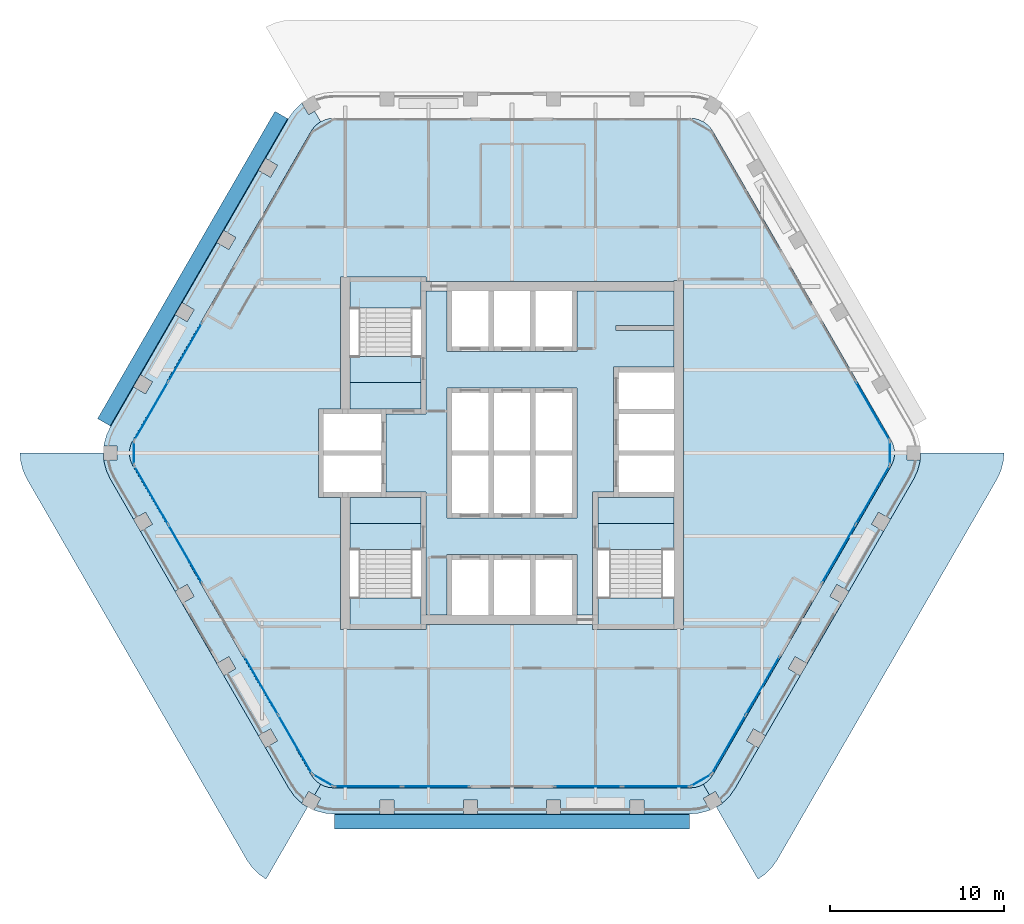
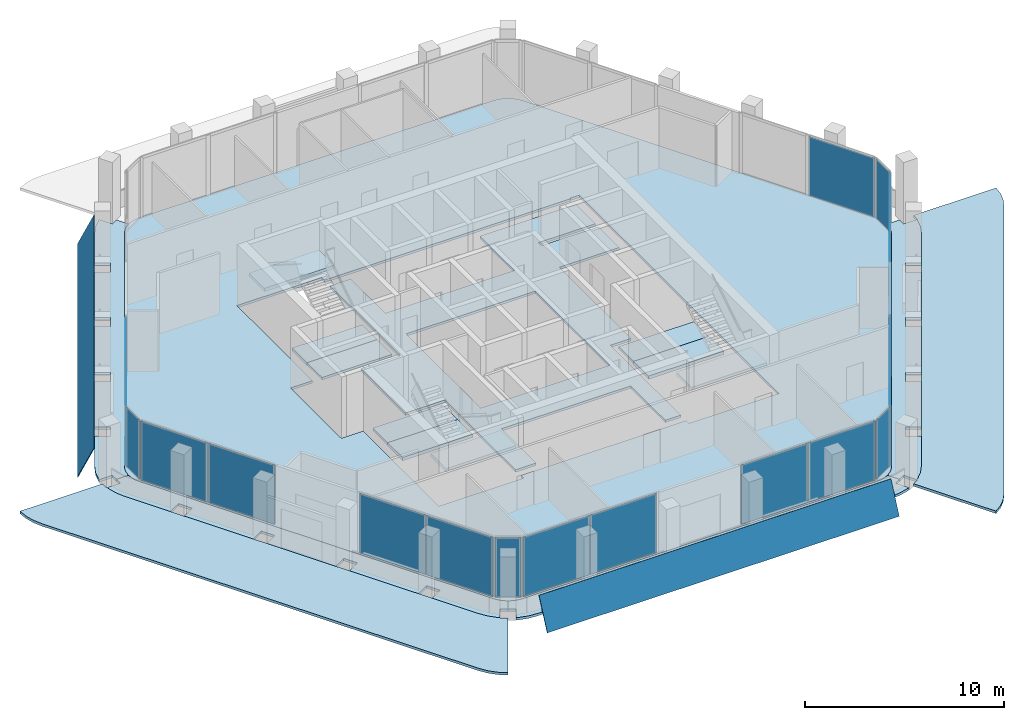
# One storey, part 6 of 14: 21 plates, 17 slabs, 15 elements without a shape of their own.
"""IFC4 building model written with IfcOpenShell, lengths in metres."""

from ifc_helpers import new_model, si_unit, direction, frame, origin, origin_2d, place, context, subcontext, project, spatial, polyline, rectangle, outline, extrude, material, layer, layer_set, type_object, element, aggregate, save


model = new_model("IFC4")

# Units and contexts
model_context = context("Model", 3, precision=1e-05, world=origin(), true_north=direction((0.0, 1.0)))
body_context = subcontext(model_context, "Body", "Model", "MODEL_VIEW")
ifc_project = project(units=[si_unit("LENGTHUNIT", "METRE"), si_unit("AREAUNIT", "SQUARE_METRE"), si_unit("VOLUMEUNIT", "CUBIC_METRE"), si_unit("PLANEANGLEUNIT", "RADIAN"), si_unit("MASSUNIT", "GRAM", prefix="KILO")], contexts=[model_context])

# Site, building, storey
site_placement = place(None, origin())
site = spatial("IfcSite", under=ifc_project, at=site_placement, CompositionType="ELEMENT")
building_placement = place(site_placement, origin())
building = spatial("IfcBuilding", under=site, at=building_placement, Name="Kolab Exchange Tower", CompositionType="ELEMENT")
storey_placement = place(building_placement, frame((0.0, 0.0, 222.800048828125)))
storey = spatial("IfcBuildingStorey", under=building, at=storey_placement, Name="L48", CompositionType="ELEMENT", Elevation=222.800048828125)

# Slabs
ifc_material_1 = material(Name="Concrete C35/45", Category="concrete")
ifc_layer_1 = layer(ifc_material_1, 0.14990234375)
ifc_layer_set_1 = layer_set([ifc_layer_1], Name="Concrete C35/45")
slab_type_1 = type_object("IfcSlabType", Name="FLOOR SLAB 150", PredefinedType="FLOOR", material=ifc_layer_set_1)
slab_1_placement = place(storey_placement, frame((0.0, 0.0, -0.150146484375)))
element("IfcSlab", 1, at=slab_1_placement, inside=storey, type_object=slab_type_1, Name="slab/L48/floor/0", PredefinedType="FLOOR", context=body_context, shape_type="SweptSolid", body=[
    extrude(outline(polyline([(11.56689453125, -18.53466796875), (21.8349609375, -0.75), (21.945556640625, -0.512939453125), (22.01318359375, -0.260498046875), (22.035888671875, 0.0), (22.01318359375, 0.260498046875), (21.945556640625, 0.512939453125), (21.8349609375, 0.75), (11.56689453125, 18.53466796875), (11.4169921875, 18.748779296875), (11.232177734375, 18.93359375), (11.01806640625, 19.083740234375), (10.781005859375, 19.194091796875), (10.5283203125, 19.26171875), (10.26806640625, 19.28466796875), (-10.26806640625, 19.28466796875), (-10.5283203125, 19.26171875), (-10.781005859375, 19.194091796875), (-11.01806640625, 19.083740234375), (-11.232177734375, 18.93359375), (-11.4169921875, 18.748779296875), (-11.56689453125, 18.53466796875), (-21.8349609375, 0.75), (-21.945556640625, 0.512939453125), (-22.01318359375, 0.260498046875), (-22.035888671875, 0.0), (-22.01318359375, -0.260498046875), (-21.945556640625, -0.512939453125), (-21.8349609375, -0.75), (-11.56689453125, -18.53466796875), (-11.4169921875, -18.748779296875), (-11.232177734375, -18.93359375), (-11.01806640625, -19.083740234375), (-10.781005859375, -19.194091796875), (-10.5283203125, -19.26171875), (-10.26806640625, -19.28466796875), (10.26806640625, -19.28466796875), (10.5283203125, -19.26171875), (10.781005859375, -19.194091796875), (11.01806640625, -19.083740234375), (11.232177734375, -18.93359375), (11.4169921875, -18.748779296875), (11.56689453125, -18.53466796875)]), holes=[polyline([(-9.324951171875, -10.14990234375), (-9.875, -10.14990234375), (-9.875, -2.550048828125), (-10.85009765625, -2.550048828125), (-11.14990234375, -2.550048828125), (-11.14990234375, 2.550048828125), (-10.85009765625, 2.550048828125), (-9.875, 2.550048828125), (-9.875, 10.14990234375), (-9.324951171875, 10.14990234375), (-5.25, 10.14990234375), (-4.949951171875, 10.14990234375), (-4.949951171875, 9.875), (9.324951171875, 9.875), (9.324951171875, 9.925048828125), (9.875, 9.925048828125), (9.875, -10.14990234375), (9.324951171875, -10.14990234375), (4.949951171875, -10.14990234375), (4.64990234375, -10.14990234375), (4.64990234375, -9.875), (-4.949951171875, -9.875), (-4.949951171875, -10.14990234375), (-5.25, -10.14990234375), (-9.324951171875, -10.14990234375)])]), origin(), (0.0, 0.0, 1.0), 0.150146484375),
])
slab_2_placement = place(storey_placement, frame((0.0, 0.0, -0.150146484375)))
element("IfcSlab", 2, at=slab_2_placement, inside=storey, type_object=slab_type_1, Name="slab/L48/floor/1", PredefinedType="FLOOR", context=body_context, shape_type="SweptSolid", body=[
    extrude(outline(polyline([(-4.949951171875, 9.324951171875), (-4.949951171875, 2.25), (-5.25, 2.25), (-7.25, 2.25), (-7.25, -2.25), (-5.25, -2.25), (-4.949951171875, -2.25), (-4.949951171875, -9.324951171875), (-3.75, -9.324951171875), (-3.75, -5.85009765625), (-3.449951171875, -5.85009765625), (-1.35009765625, -5.85009765625), (-1.050048828125, -5.85009765625), (1.050048828125, -5.85009765625), (1.35009765625, -5.85009765625), (3.449951171875, -5.85009765625), (3.75, -5.85009765625), (3.75, -9.324951171875), (4.64990234375, -9.324951171875), (4.64990234375, -2.25), (4.949951171875, -2.25), (5.85009765625, -2.25), (5.85009765625, 4.949951171875), (6.14990234375, 4.949951171875), (9.324951171875, 4.949951171875), (9.324951171875, 7.050048828125), (6.0, 7.050048828125), (6.0, 7.35009765625), (9.324951171875, 7.35009765625), (9.324951171875, 9.324951171875), (3.75, 9.324951171875), (3.75, 5.85009765625), (3.449951171875, 5.85009765625), (1.35009765625, 5.85009765625), (1.050048828125, 5.85009765625), (-1.050048828125, 5.85009765625), (-1.35009765625, 5.85009765625), (-3.449951171875, 5.85009765625), (-3.75, 5.85009765625), (-3.75, 9.324951171875), (-4.949951171875, 9.324951171875)]), holes=[polyline([(-3.449951171875, -3.75), (-3.75, -3.75), (-3.75, 3.75), (-3.449951171875, 3.75), (-1.35009765625, 3.75), (-1.050048828125, 3.75), (1.050048828125, 3.75), (1.35009765625, 3.75), (3.449951171875, 3.75), (3.75, 3.75), (3.75, -3.75), (3.449951171875, -3.75), (1.35009765625, -3.75), (1.050048828125, -3.75), (-1.050048828125, -3.75), (-1.35009765625, -3.75), (-3.449951171875, -3.75)])]), origin(), (0.0, 0.0, 1.0), 0.150146484375),
])
slab_3_placement = place(storey_placement, frame((0.0, 0.0, -0.150146484375)))
element("IfcSlab", 3, at=slab_3_placement, inside=storey, type_object=slab_type_1, Name="slab/L48/floor/2", PredefinedType="FLOOR", context=body_context, shape_type="SweptSolid", body=[
    extrude(outline(polyline([(4.949951171875, -2.550048828125), (4.949951171875, -4.050048828125), (9.324951171875, -4.050048828125), (9.324951171875, -2.550048828125), (6.14990234375, -2.550048828125), (5.85009765625, -2.550048828125), (4.949951171875, -2.550048828125)])), origin(), (0.0, 0.0, 1.0), 0.150146484375),
])
slab_4_placement = place(storey_placement, frame((0.0, 0.0, -0.150146484375)))
element("IfcSlab", 4, at=slab_4_placement, inside=storey, type_object=slab_type_1, Name="slab/L48/floor/3", PredefinedType="FLOOR", context=body_context, shape_type="SweptSolid", body=[
    extrude(outline(polyline([(-7.550048828125, -2.550048828125), (-9.324951171875, -2.550048828125), (-9.324951171875, -4.050048828125), (-5.25, -4.050048828125), (-5.25, -2.550048828125), (-7.25, -2.550048828125), (-7.550048828125, -2.550048828125)])), origin(), (0.0, 0.0, 1.0), 0.150146484375),
])
slab_5_placement = place(storey_placement, frame((0.0, 0.0, -0.150146484375)))
element("IfcSlab", 5, at=slab_5_placement, inside=storey, type_object=slab_type_1, Name="slab/L48/floor/4", PredefinedType="FLOOR", context=body_context, shape_type="SweptSolid", body=[
    extrude(outline(polyline([(-9.324951171875, 4.050048828125), (-9.324951171875, 2.550048828125), (-7.550048828125, 2.550048828125), (-7.25, 2.550048828125), (-5.25, 2.550048828125), (-5.25, 4.050048828125), (-9.324951171875, 4.050048828125)])), origin(), (0.0, 0.0, 1.0), 0.150146484375),
])
ifc_layer_2 = layer(ifc_material_1, 0.14990234375)
ifc_layer_set_2 = layer_set([ifc_layer_2], Name="Concrete C35/45")
slab_type_2 = type_object("IfcSlabType", Name="LOGGIA SLAB 150", PredefinedType="FLOOR", material=ifc_layer_set_2)
slab_6_placement = place(storey_placement, frame((0.0, 0.0, -0.150146484375)))
element("IfcSlab", 6, at=slab_6_placement, inside=storey, type_object=slab_type_2, Name="slab/L48/loggia/2-0", PredefinedType="FLOOR", context=body_context, shape_type="SweptSolid", body=[
    extrude(outline(polyline([(12.865966796875, -19.28466796875), (14.199951171875, -16.97412109375), (13.507080078125, -16.57421875), (13.9072265625, -15.88134765625), (14.60009765625, -16.28125), (16.60009765625, -12.817138671875), (15.9072265625, -12.417236328125), (16.30712890625, -11.724365234375), (17.0, -12.124267578125), (19.0, -8.66015625), (18.30712890625, -8.26025390625), (18.707275390625, -7.5673828125), (19.39990234375, -7.967529296875), (21.39990234375, -4.50341796875), (20.707275390625, -4.103271484375), (21.107177734375, -3.410400390625), (21.800048828125, -3.810546875), (23.134033203125, -1.5), (23.35498046875, -1.026123046875), (23.490234375, -0.52099609375), (23.5009765625, -0.39990234375), (22.73583984375, -0.39990234375), (22.73583984375, 0.0), (22.035888671875, 0.0), (22.01318359375, -0.260498046875), (21.945556640625, -0.512939453125), (21.8349609375, -0.75), (11.56689453125, -18.53466796875), (11.4169921875, -18.748779296875), (11.232177734375, -18.93359375), (11.01806640625, -19.083740234375), (11.367919921875, -19.68994140625), (11.71435546875, -19.48974609375), (12.096923828125, -20.15234375), (12.1962890625, -20.082763671875), (12.566162109375, -19.712890625), (12.865966796875, -19.28466796875)])), origin(), (0.0, 0.0, 1.0), 0.150146484375),
])
slab_7_placement = place(storey_placement, frame((0.0, 0.0, -0.150146484375)))
element("IfcSlab", 7, at=slab_7_placement, inside=storey, type_object=slab_type_2, Name="slab/L48/loggia/3-0", PredefinedType="FLOOR", context=body_context, shape_type="SweptSolid", body=[
    extrude(outline(polyline([(-11.01806640625, -19.083740234375), (-11.367919921875, -19.68994140625), (-11.021484375, -19.889892578125), (-11.404052734375, -20.552490234375), (-11.2939453125, -20.603759765625), (-10.788818359375, -20.739013671875), (-10.26806640625, -20.78466796875), (-7.60009765625, -20.78466796875), (-7.60009765625, -19.984619140625), (-6.800048828125, -19.984619140625), (-6.800048828125, -20.78466796875), (-2.800048828125, -20.78466796875), (-2.800048828125, -19.984619140625), (-2.0, -19.984619140625), (-2.0, -20.78466796875), (2.0, -20.78466796875), (2.0, -19.984619140625), (2.800048828125, -19.984619140625), (2.800048828125, -20.78466796875), (6.800048828125, -20.78466796875), (6.800048828125, -19.984619140625), (7.60009765625, -19.984619140625), (7.60009765625, -20.78466796875), (10.26806640625, -20.78466796875), (10.788818359375, -20.739013671875), (11.2939453125, -20.603759765625), (11.404052734375, -20.552490234375), (11.021484375, -19.889892578125), (11.367919921875, -19.68994140625), (11.01806640625, -19.083740234375), (10.781005859375, -19.194091796875), (10.5283203125, -19.26171875), (10.26806640625, -19.28466796875), (-10.26806640625, -19.28466796875), (-10.5283203125, -19.26171875), (-10.781005859375, -19.194091796875), (-11.01806640625, -19.083740234375)])), origin(), (0.0, 0.0, 1.0), 0.150146484375),
])
slab_8_placement = place(storey_placement, frame((0.0, 0.0, -0.150146484375)))
element("IfcSlab", 8, at=slab_8_placement, inside=storey, type_object=slab_type_2, Name="slab/L48/loggia/4-0", PredefinedType="FLOOR", context=body_context, shape_type="SweptSolid", body=[
    extrude(outline(polyline([(-22.035888671875, 0.0), (-22.73583984375, 0.0), (-22.73583984375, -0.39990234375), (-23.5009765625, -0.39990234375), (-23.490234375, -0.52099609375), (-23.35498046875, -1.026123046875), (-23.134033203125, -1.5), (-21.800048828125, -3.810546875), (-21.107177734375, -3.410400390625), (-20.707275390625, -4.103271484375), (-21.39990234375, -4.50341796875), (-19.39990234375, -7.967529296875), (-18.707275390625, -7.5673828125), (-18.30712890625, -8.26025390625), (-19.0, -8.66015625), (-17.0, -12.124267578125), (-16.30712890625, -11.724365234375), (-15.9072265625, -12.417236328125), (-16.60009765625, -12.817138671875), (-14.60009765625, -16.28125), (-13.9072265625, -15.88134765625), (-13.507080078125, -16.57421875), (-14.199951171875, -16.97412109375), (-12.865966796875, -19.28466796875), (-12.566162109375, -19.712890625), (-12.1962890625, -20.082763671875), (-12.096923828125, -20.15234375), (-11.71435546875, -19.48974609375), (-11.367919921875, -19.68994140625), (-11.01806640625, -19.083740234375), (-11.232177734375, -18.93359375), (-11.4169921875, -18.748779296875), (-11.56689453125, -18.53466796875), (-21.8349609375, -0.75), (-21.945556640625, -0.512939453125), (-22.01318359375, -0.260498046875), (-22.035888671875, 0.0)])), origin(), (0.0, 0.0, 1.0), 0.150146484375),
])
slab_9_placement = place(storey_placement, frame((0.0, 0.0, -0.150146484375)))
element("IfcSlab", 9, at=slab_9_placement, inside=storey, type_object=slab_type_2, Name="slab/L48/loggia/5-0", PredefinedType="FLOOR", context=body_context, shape_type="SweptSolid", body=[
    extrude(outline(polyline([(-11.01806640625, 19.083740234375), (-11.367919921875, 19.68994140625), (-11.71435546875, 19.48974609375), (-12.096923828125, 20.15234375), (-12.1962890625, 20.082763671875), (-12.566162109375, 19.712890625), (-12.865966796875, 19.28466796875), (-14.199951171875, 16.97412109375), (-13.507080078125, 16.57421875), (-13.9072265625, 15.88134765625), (-14.60009765625, 16.28125), (-16.60009765625, 12.817138671875), (-15.9072265625, 12.417236328125), (-16.30712890625, 11.724365234375), (-17.0, 12.124267578125), (-19.0, 8.66015625), (-18.30712890625, 8.26025390625), (-18.707275390625, 7.5673828125), (-19.39990234375, 7.967529296875), (-21.39990234375, 4.50341796875), (-20.707275390625, 4.103271484375), (-21.107177734375, 3.410400390625), (-21.800048828125, 3.810546875), (-23.134033203125, 1.5), (-23.35498046875, 1.026123046875), (-23.490234375, 0.52099609375), (-23.5009765625, 0.39990234375), (-22.73583984375, 0.39990234375), (-22.73583984375, 0.0), (-22.035888671875, 0.0), (-22.01318359375, 0.260498046875), (-21.945556640625, 0.512939453125), (-21.8349609375, 0.75), (-11.56689453125, 18.53466796875), (-11.4169921875, 18.748779296875), (-11.232177734375, 18.93359375), (-11.01806640625, 19.083740234375)])), origin(), (0.0, 0.0, 1.0), 0.150146484375),
])

# Plates
ifc_material_2 = material(Name="Laminated glass, clear", Category="glass")
ifc_layer_3 = layer(ifc_material_2, 0.0400390625)
ifc_layer_set_3 = layer_set([ifc_layer_3], Name="Laminated glass, clear")
plate_type_1 = type_object("IfcPlateType", Name="OUTER SKIN LAMINATED GLASS SHEET 40", PredefinedType="SHEET", material=ifc_layer_set_3)
plate_1_placement = place(storey_placement, frame((10.218017578125, -21.66015625, -0.68310546875), z_axis=(0.0, -0.906311853188, 0.422609541742), x_axis=(-1.0, 0.0, 0.0)))
element("IfcPlate", 10, at=plate_1_placement, inside=storey, type_object=plate_type_1, Name="Outer skin", PredefinedType="SHEET", context=body_context, shape_type="SweptSolid", body=[
    extrude(outline(polyline([(0.0, 0.0), (20.43603515625, 0.0), (20.43603515625, -1.9861252192534886), (0.0, -1.9861252192534886), (0.0, 0.0)])), origin(), (0.0, 0.0, -1.0), 0.0400390625),
])
plate_2_placement = place(storey_placement, frame((-23.8671875, 1.981201171875, -0.68310546875), z_axis=(-0.784886322863, 0.453152182031, 0.422618693508), x_axis=(0.499997422494, 0.866026891901, -1.981408e-06)))
element("IfcPlate", 11, at=plate_2_placement, inside=storey, type_object=plate_type_1, Name="Outer skin", PredefinedType="SHEET", context=body_context, shape_type="SweptSolid", body=[
    extrude(outline(polyline([(0.0, 0.0), (20.435802623779963, 0.0), (20.435870369896403, -1.9861792489881698), (-5.4323566790471804e-05, -1.9860898935068518), (0.0, 0.0)])), origin(), (0.0, 0.0, -1.0), 0.0400390625),
])

# Stair, slabs
ifc_material_3 = material(Name="Concrete C50/60", Category="concrete")
stair_type_1 = type_object("IfcStairType", Name="STAIR ST1 RISER 177.3", PredefinedType="HALF_TURN_STAIR", material=ifc_material_3)
stair_1_placement = place(storey_placement, origin())
stair_1 = element("IfcStair", 12, at=stair_1_placement, inside=storey, type_object=stair_type_1, Name="Stair 1", PredefinedType="HALF_TURN_STAIR")
ifc_layer_4 = layer(ifc_material_3, 0.199951171875)
ifc_layer_set_4 = layer_set([ifc_layer_4], Name="Concrete C50/60")
slab_type_3 = type_object("IfcSlabType", Name="STAIR LANDING 200", PredefinedType="LANDING", material=ifc_layer_set_4)
slab_10_placement = place(storey_placement, frame((0.0, 0.0, -0.199951171875)))
slab_10 = element("IfcSlab", 13, at=slab_10_placement, type_object=slab_type_3, Name="ST1 landing 1", PredefinedType="LANDING", context=body_context, shape_type="SweptSolid", body=[
    extrude(outline(polyline([(-9.324951171875, 4.050048828125), (-5.25, 4.050048828125), (-5.25, 5.550048828125), (-9.324951171875, 5.550048828125), (-9.324951171875, 4.050048828125)])), origin(), (0.0, 0.0, 1.0), 0.199951171875),
])
slab_11_placement = place(storey_placement, frame((0.0, 0.0, 1.75)))
slab_11 = element("IfcSlab", 14, at=slab_11_placement, type_object=slab_type_3, Name="ST1 landing 2", PredefinedType="LANDING", context=body_context, shape_type="SweptSolid", body=[
    extrude(outline(polyline([(-9.324951171875, 8.35009765625), (-5.25, 8.35009765625), (-5.25, 9.909912109375), (-9.324951171875, 9.909912109375), (-9.324951171875, 8.35009765625)])), origin(), (0.0, 0.0, 1.0), 0.199951171875),
])
aggregate(stair_1, [slab_10, slab_11])

stair_type_2 = type_object("IfcStairType", Name="STAIR ST3 RISER 177.3", PredefinedType="HALF_TURN_STAIR", material=ifc_material_3)
stair_2_placement = place(storey_placement, origin())
stair_2 = element("IfcStair", 15, at=stair_2_placement, inside=storey, type_object=stair_type_2, Name="Stair 3", PredefinedType="HALF_TURN_STAIR")
slab_12_placement = place(storey_placement, frame((0.0, 0.0, -0.199951171875)))
slab_12 = element("IfcSlab", 16, at=slab_12_placement, type_object=slab_type_3, Name="ST3 landing 1", PredefinedType="LANDING", context=body_context, shape_type="SweptSolid", body=[
    extrude(outline(polyline([(-9.324951171875, -5.550048828125), (-5.25, -5.550048828125), (-5.25, -4.050048828125), (-9.324951171875, -4.050048828125), (-9.324951171875, -5.550048828125)])), origin(), (0.0, 0.0, 1.0), 0.199951171875),
])
slab_13_placement = place(storey_placement, frame((0.0, 0.0, 1.75)))
slab_13 = element("IfcSlab", 17, at=slab_13_placement, type_object=slab_type_3, Name="ST3 landing 2", PredefinedType="LANDING", context=body_context, shape_type="SweptSolid", body=[
    extrude(outline(polyline([(-9.324951171875, -9.909912109375), (-5.25, -9.909912109375), (-5.25, -8.35009765625), (-9.324951171875, -8.35009765625), (-9.324951171875, -9.909912109375)])), origin(), (0.0, 0.0, 1.0), 0.199951171875),
])
aggregate(stair_2, [slab_12, slab_13])

stair_type_3 = type_object("IfcStairType", Name="STAIR ST2 RISER 177.3", PredefinedType="HALF_TURN_STAIR", material=ifc_material_3)
stair_3_placement = place(storey_placement, origin())
stair_3 = element("IfcStair", 18, at=stair_3_placement, inside=storey, type_object=stair_type_3, Name="Stair 2", PredefinedType="HALF_TURN_STAIR")
slab_14_placement = place(storey_placement, frame((0.0, 0.0, -0.199951171875)))
slab_14 = element("IfcSlab", 19, at=slab_14_placement, type_object=slab_type_3, Name="ST2 landing 1", PredefinedType="LANDING", context=body_context, shape_type="SweptSolid", body=[
    extrude(outline(polyline([(4.949951171875, -5.550048828125), (9.324951171875, -5.550048828125), (9.324951171875, -4.050048828125), (4.949951171875, -4.050048828125), (4.949951171875, -5.550048828125)])), origin(), (0.0, 0.0, 1.0), 0.199951171875),
])
slab_15_placement = place(storey_placement, frame((0.0, 0.0, 1.75)))
slab_15 = element("IfcSlab", 20, at=slab_15_placement, type_object=slab_type_3, Name="ST2 landing 2", PredefinedType="LANDING", context=body_context, shape_type="SweptSolid", body=[
    extrude(outline(polyline([(4.949951171875, -9.909912109375), (9.324951171875, -9.909912109375), (9.324951171875, -8.35009765625), (4.949951171875, -8.35009765625), (4.949951171875, -9.909912109375)])), origin(), (0.0, 0.0, 1.0), 0.199951171875),
])
aggregate(stair_3, [slab_14, slab_15])

# Slabs
ifc_layer_5 = layer(ifc_material_1, 0.14990234375)
ifc_layer_set_5 = layer_set([ifc_layer_5], Name="Concrete C35/45")
slab_type_4 = type_object("IfcSlabType", Name="TERRACE SLAB 150 PLANTED", PredefinedType="ROOF", material=ifc_layer_set_5)
slab_16_placement = place(storey_placement, frame((0.0, 0.0, -0.150146484375)))
element("IfcSlab", 21, at=slab_16_placement, inside=storey, type_object=slab_type_4, Name="slab/L47/ledge-L48-F3/0", PredefinedType="ROOF", context=body_context, shape_type="SweptSolid", body=[
    extrude(outline(polyline([(28.3359375, 0.0), (23.535888671875, 0.0), (23.535888671875, -0.39990234375), (23.5009765625, -0.39990234375), (23.490234375, -0.52099609375), (23.35498046875, -1.026123046875), (23.134033203125, -1.5), (19.39990234375, -7.967529296875), (19.0, -8.66015625), (17.0, -12.124267578125), (16.60009765625, -12.817138671875), (14.60009765625, -16.28125), (14.199951171875, -16.97412109375), (12.865966796875, -19.28466796875), (12.566162109375, -19.712890625), (12.1962890625, -20.082763671875), (12.096923828125, -20.15234375), (12.1142578125, -20.1826171875), (11.76806640625, -20.382568359375), (14.16796875, -24.53955078125), (14.59619140625, -24.23974609375), (14.966064453125, -23.869873046875), (15.26611328125, -23.441650390625), (27.93408203125, -1.5), (28.155029296875, -1.026123046875), (28.290283203125, -0.52099609375), (28.3359375, 0.0)])), origin(), (0.0, 0.0, 1.0), 0.150146484375),
])
slab_17_placement = place(storey_placement, frame((0.0, 0.0, -0.150146484375)))
element("IfcSlab", 22, at=slab_17_placement, inside=storey, type_object=slab_type_4, Name="slab/L47/ledge-L48-F5/0", PredefinedType="ROOF", context=body_context, shape_type="SweptSolid", body=[
    extrude(outline(polyline([(-14.16796875, -24.53955078125), (-11.76806640625, -20.382568359375), (-12.1142578125, -20.1826171875), (-12.096923828125, -20.15234375), (-12.1962890625, -20.082763671875), (-12.566162109375, -19.712890625), (-12.865966796875, -19.28466796875), (-14.199951171875, -16.97412109375), (-14.60009765625, -16.28125), (-16.60009765625, -12.817138671875), (-17.0, -12.124267578125), (-19.0, -8.66015625), (-19.39990234375, -7.967529296875), (-23.134033203125, -1.5), (-23.35498046875, -1.026123046875), (-23.490234375, -0.52099609375), (-23.5009765625, -0.39990234375), (-23.535888671875, -0.39990234375), (-23.535888671875, 0.0), (-28.3359375, 0.0), (-28.290283203125, -0.52099609375), (-28.155029296875, -1.026123046875), (-27.93408203125, -1.5), (-15.26611328125, -23.441650390625), (-14.966064453125, -23.869873046875), (-14.59619140625, -24.23974609375), (-14.16796875, -24.53955078125)])), origin(), (0.0, 0.0, 1.0), 0.150146484375),
])

# Curtain wall, plate
ifc_material_4 = material(Name="Aluminium EN AW-6063 T6", Category="aluminium")
curtain_wall_type = type_object("IfcCurtainWallType", Name="UNITISED HIGH ZONE CURTAIN WALL", PredefinedType="NOTDEFINED", material=ifc_material_4)
curtain_wall_1_placement = place(storey_placement, origin())
curtain_wall_1 = element("IfcCurtainWall", 23, at=curtain_wall_1_placement, inside=storey, type_object=curtain_wall_type, Name="cw/L48/F2-2", PredefinedType="NOTDEFINED")
ifc_material_5 = material(Name="Clear insulated glazing unit", Category="glass")
ifc_layer_6 = layer(ifc_material_5, 0.030029296875)
ifc_layer_set_6 = layer_set([ifc_layer_6], Name="Clear insulated glazing unit")
plate_type_2 = type_object("IfcPlateType", Name="UNITISED HIGH ZONE GLASS PANEL 30", PredefinedType="CURTAIN_PANEL", material=ifc_layer_set_6)
plate_3_placement = place(storey_placement, frame((20.774658203125, 2.426513671875, 0.06005859375), z_axis=(0.0, 0.0, 1.0), x_axis=(0.499999936366, -0.866025440524, 0.0)))
plate_3 = element("IfcPlate", 24, at=plate_3_placement, type_object=plate_type_2, Name="CW4 panel 2.1", PredefinedType="CURTAIN_PANEL", context=body_context, shape_type="SweptSolid", body=[
    extrude(rectangle(XDim=3.843994140625, YDim=0.030029296875, at=origin_2d()), origin(), (0.0, 0.0, 1.0), 3.6298828125),
])
aggregate(curtain_wall_1, [plate_3])

# Curtain wall, plates
curtain_wall_2_placement = place(storey_placement, origin())
curtain_wall_2 = element("IfcCurtainWall", 25, at=curtain_wall_2_placement, inside=storey, type_object=curtain_wall_type, Name="cw/L48/F3-1", PredefinedType="NOTDEFINED")
plate_4_placement = place(storey_placement, frame((20.774658203125, -2.426513671875, 0.06005859375), z_axis=(0.0, 0.0, 1.0), x_axis=(-0.499999936366, -0.866025440524, 0.0)))
plate_4 = element("IfcPlate", 26, at=plate_4_placement, type_object=plate_type_2, Name="CW4 panel 1.1", PredefinedType="CURTAIN_PANEL", context=body_context, shape_type="SweptSolid", body=[
    extrude(rectangle(XDim=3.843994140625, YDim=0.030029296875, at=origin_2d()), origin(), (0.0, 0.0, 1.0), 3.6298828125),
])
plate_5_placement = place(storey_placement, frame((18.82275390625, -5.807373046875, 0.06005859375), z_axis=(0.0, 0.0, 1.0), x_axis=(-0.499999936366, -0.866025440524, 0.0)))
plate_5 = element("IfcPlate", 27, at=plate_5_placement, type_object=plate_type_2, Name="CW4 panel 2.1", PredefinedType="CURTAIN_PANEL", context=body_context, shape_type="SweptSolid", body=[
    extrude(rectangle(XDim=3.843994140625, YDim=0.030029296875, at=origin_2d()), origin(), (0.0, 0.0, 1.0), 3.6298828125),
])
aggregate(curtain_wall_2, [plate_4, plate_5])

curtain_wall_3_placement = place(storey_placement, origin())
curtain_wall_3 = element("IfcCurtainWall", 28, at=curtain_wall_3_placement, inside=storey, type_object=curtain_wall_type, Name="cw/L48/F3-2", PredefinedType="NOTDEFINED")
plate_6_placement = place(storey_placement, frame((14.440673828125, -13.397216796875, 0.06005859375), z_axis=(0.0, 0.0, 1.0), x_axis=(-0.500000031681, -0.866025385493, 0.0)))
plate_6 = element("IfcPlate", 29, at=plate_6_placement, type_object=plate_type_2, Name="CW4 panel 1.1", PredefinedType="CURTAIN_PANEL", context=body_context, shape_type="SweptSolid", body=[
    extrude(rectangle(XDim=3.843994140625, YDim=0.030029296875, at=origin_2d()), origin(), (0.0, 0.0, 1.0), 3.6298828125),
])
plate_7_placement = place(storey_placement, frame((12.48876953125, -16.778076171875, 0.06005859375), z_axis=(0.0, 0.0, 1.0), x_axis=(-0.500000031681, -0.866025385493, 0.0)))
plate_7 = element("IfcPlate", 30, at=plate_7_placement, type_object=plate_type_2, Name="CW4 panel 2.1", PredefinedType="CURTAIN_PANEL", context=body_context, shape_type="SweptSolid", body=[
    extrude(rectangle(XDim=3.843994140625, YDim=0.030029296875, at=origin_2d()), origin(), (0.0, 0.0, 1.0), 3.6298828125),
])
aggregate(curtain_wall_3, [plate_6, plate_7])

curtain_wall_4_placement = place(storey_placement, origin())
curtain_wall_4 = element("IfcCurtainWall", 31, at=curtain_wall_4_placement, inside=storey, type_object=curtain_wall_type, Name="cw/L48/F4-1", PredefinedType="NOTDEFINED")
plate_8_placement = place(storey_placement, frame((8.285888671875, -19.20458984375, 0.06005859375), z_axis=(0.0, 0.0, 1.0), x_axis=(-1.0, 0.0, 0.0)))
plate_8 = element("IfcPlate", 32, at=plate_8_placement, type_object=plate_type_2, Name="CW4 panel 1.1", PredefinedType="CURTAIN_PANEL", context=body_context, shape_type="SweptSolid", body=[
    extrude(rectangle(XDim=3.843994140625, YDim=0.030029296875, at=origin_2d()), origin(), (0.0, 0.0, 1.0), 3.6298828125),
])
plate_9_placement = place(storey_placement, frame((4.382080078125, -19.20458984375, 0.06005859375), z_axis=(0.0, 0.0, 1.0), x_axis=(-1.0, 0.0, 0.0)))
plate_9 = element("IfcPlate", 33, at=plate_9_placement, type_object=plate_type_2, Name="CW4 panel 2.1", PredefinedType="CURTAIN_PANEL", context=body_context, shape_type="SweptSolid", body=[
    extrude(rectangle(XDim=3.843994140625, YDim=0.030029296875, at=origin_2d()), origin(), (0.0, 0.0, 1.0), 3.6298828125),
])
aggregate(curtain_wall_4, [plate_8, plate_9])

curtain_wall_5_placement = place(storey_placement, origin())
curtain_wall_5 = element("IfcCurtainWall", 34, at=curtain_wall_5_placement, inside=storey, type_object=curtain_wall_type, Name="cw/L48/F4-2", PredefinedType="NOTDEFINED")
plate_10_placement = place(storey_placement, frame((-4.382080078125, -19.20458984375, 0.06005859375), z_axis=(0.0, 0.0, 1.0), x_axis=(-1.0, 0.0, 0.0)))
plate_10 = element("IfcPlate", 35, at=plate_10_placement, type_object=plate_type_2, Name="CW4 panel 1.1", PredefinedType="CURTAIN_PANEL", context=body_context, shape_type="SweptSolid", body=[
    extrude(rectangle(XDim=3.843994140625, YDim=0.030029296875, at=origin_2d()), origin(), (0.0, 0.0, 1.0), 3.6298828125),
])
plate_11_placement = place(storey_placement, frame((-8.285888671875, -19.20458984375, 0.06005859375), z_axis=(0.0, 0.0, 1.0), x_axis=(-1.0, 0.0, 0.0)))
plate_11 = element("IfcPlate", 36, at=plate_11_placement, type_object=plate_type_2, Name="CW4 panel 2.1", PredefinedType="CURTAIN_PANEL", context=body_context, shape_type="SweptSolid", body=[
    extrude(rectangle(XDim=3.843994140625, YDim=0.030029296875, at=origin_2d()), origin(), (0.0, 0.0, 1.0), 3.6298828125),
])
aggregate(curtain_wall_5, [plate_10, plate_11])

curtain_wall_6_placement = place(storey_placement, origin())
curtain_wall_6 = element("IfcCurtainWall", 37, at=curtain_wall_6_placement, inside=storey, type_object=curtain_wall_type, Name="cw/L48/F5-1", PredefinedType="NOTDEFINED")
plate_12_placement = place(storey_placement, frame((-12.48876953125, -16.778076171875, 0.06005859375), z_axis=(0.0, 0.0, 1.0), x_axis=(-0.500000031681, 0.866025385493, 0.0)))
plate_12 = element("IfcPlate", 38, at=plate_12_placement, type_object=plate_type_2, Name="CW4 panel 1.1", PredefinedType="CURTAIN_PANEL", context=body_context, shape_type="SweptSolid", body=[
    extrude(rectangle(XDim=3.843994140625, YDim=0.030029296875, at=origin_2d()), origin(), (0.0, 0.0, 1.0), 3.6298828125),
])
plate_13_placement = place(storey_placement, frame((-14.440673828125, -13.397216796875, 0.06005859375), z_axis=(0.0, 0.0, 1.0), x_axis=(-0.500000031681, 0.866025385493, 0.0)))
plate_13 = element("IfcPlate", 39, at=plate_13_placement, type_object=plate_type_2, Name="CW4 panel 2.1", PredefinedType="CURTAIN_PANEL", context=body_context, shape_type="SweptSolid", body=[
    extrude(rectangle(XDim=3.843994140625, YDim=0.030029296875, at=origin_2d()), origin(), (0.0, 0.0, 1.0), 3.6298828125),
])
aggregate(curtain_wall_6, [plate_12, plate_13])

curtain_wall_7_placement = place(storey_placement, origin())
curtain_wall_7 = element("IfcCurtainWall", 40, at=curtain_wall_7_placement, inside=storey, type_object=curtain_wall_type, Name="cw/L48/F5-2", PredefinedType="NOTDEFINED")
plate_14_placement = place(storey_placement, frame((-18.82275390625, -5.807373046875, 0.06005859375), z_axis=(0.0, 0.0, 1.0), x_axis=(-0.499999936366, 0.866025440524, 0.0)))
plate_14 = element("IfcPlate", 41, at=plate_14_placement, type_object=plate_type_2, Name="CW4 panel 1.1", PredefinedType="CURTAIN_PANEL", context=body_context, shape_type="SweptSolid", body=[
    extrude(rectangle(XDim=3.843994140625, YDim=0.030029296875, at=origin_2d()), origin(), (0.0, 0.0, 1.0), 3.6298828125),
])
plate_15_placement = place(storey_placement, frame((-20.774658203125, -2.426513671875, 0.06005859375), z_axis=(0.0, 0.0, 1.0), x_axis=(-0.499999936366, 0.866025440524, 0.0)))
plate_15 = element("IfcPlate", 42, at=plate_15_placement, type_object=plate_type_2, Name="CW4 panel 2.1", PredefinedType="CURTAIN_PANEL", context=body_context, shape_type="SweptSolid", body=[
    extrude(rectangle(XDim=3.843994140625, YDim=0.030029296875, at=origin_2d()), origin(), (0.0, 0.0, 1.0), 3.6298828125),
])
aggregate(curtain_wall_7, [plate_14, plate_15])

curtain_wall_8_placement = place(storey_placement, origin())
curtain_wall_8 = element("IfcCurtainWall", 43, at=curtain_wall_8_placement, inside=storey, type_object=curtain_wall_type, Name="cw/L48/F6-1", PredefinedType="NOTDEFINED")
plate_16_placement = place(storey_placement, frame((-20.774658203125, 2.426513671875, 0.06005859375), z_axis=(0.0, 0.0, 1.0), x_axis=(0.499999936366, 0.866025440524, 0.0)))
plate_16 = element("IfcPlate", 44, at=plate_16_placement, type_object=plate_type_2, Name="CW4 panel 1.1", PredefinedType="CURTAIN_PANEL", context=body_context, shape_type="SweptSolid", body=[
    extrude(rectangle(XDim=3.843994140625, YDim=0.030029296875, at=origin_2d()), origin(), (0.0, 0.0, 1.0), 3.6298828125),
])
plate_17_placement = place(storey_placement, frame((-18.82275390625, 5.807373046875, 0.06005859375), z_axis=(0.0, 0.0, 1.0), x_axis=(0.499999936366, 0.866025440524, 0.0)))
plate_17 = element("IfcPlate", 45, at=plate_17_placement, type_object=plate_type_2, Name="CW4 panel 2.1", PredefinedType="CURTAIN_PANEL", context=body_context, shape_type="SweptSolid", body=[
    extrude(rectangle(XDim=3.843994140625, YDim=0.030029296875, at=origin_2d()), origin(), (0.0, 0.0, 1.0), 3.6298828125),
])
aggregate(curtain_wall_8, [plate_16, plate_17])

# Curtain wall, plate
curtain_wall_9_placement = place(storey_placement, origin())
curtain_wall_9 = element("IfcCurtainWall", 46, at=curtain_wall_9_placement, inside=storey, type_object=curtain_wall_type, Name="cw/L48/F2F3-corner", PredefinedType="NOTDEFINED")
plate_18_placement = place(storey_placement, frame((21.765625, 0.0, 0.06005859375), z_axis=(0.0, 0.0, 1.0), x_axis=(0.0, -1.0, 0.0)))
plate_18 = element("IfcPlate", 47, at=plate_18_placement, type_object=plate_type_2, Name="CW4 panel 1.1", PredefinedType="CURTAIN_PANEL", context=body_context, shape_type="SweptSolid", body=[
    extrude(rectangle(XDim=1.300048828125, YDim=0.030029296875, at=origin_2d()), origin(), (0.0, 0.0, 1.0), 3.6298828125),
])
aggregate(curtain_wall_9, [plate_18])

curtain_wall_10_placement = place(storey_placement, origin())
curtain_wall_10 = element("IfcCurtainWall", 48, at=curtain_wall_10_placement, inside=storey, type_object=curtain_wall_type, Name="cw/L48/F3F4-corner", PredefinedType="NOTDEFINED")
plate_19_placement = place(storey_placement, frame((10.8828125, -18.849609375, 0.06005859375), z_axis=(0.0, 0.0, 1.0), x_axis=(-0.866025390869, -0.50000002237, 0.0)))
plate_19 = element("IfcPlate", 49, at=plate_19_placement, type_object=plate_type_2, Name="CW4 panel 1.1", PredefinedType="CURTAIN_PANEL", context=body_context, shape_type="SweptSolid", body=[
    extrude(rectangle(XDim=1.300048828125, YDim=0.030029296875, at=origin_2d()), origin(), (0.0, 0.0, 1.0), 3.6298828125),
])
aggregate(curtain_wall_10, [plate_19])

curtain_wall_11_placement = place(storey_placement, origin())
curtain_wall_11 = element("IfcCurtainWall", 50, at=curtain_wall_11_placement, inside=storey, type_object=curtain_wall_type, Name="cw/L48/F4F5-corner", PredefinedType="NOTDEFINED")
plate_20_placement = place(storey_placement, frame((-10.8828125, -18.849609375, 0.06005859375), z_axis=(0.0, 0.0, 1.0), x_axis=(-0.866025390869, 0.50000002237, 0.0)))
plate_20 = element("IfcPlate", 51, at=plate_20_placement, type_object=plate_type_2, Name="CW4 panel 1.1", PredefinedType="CURTAIN_PANEL", context=body_context, shape_type="SweptSolid", body=[
    extrude(rectangle(XDim=1.300048828125, YDim=0.030029296875, at=origin_2d()), origin(), (0.0, 0.0, 1.0), 3.6298828125),
])
aggregate(curtain_wall_11, [plate_20])

curtain_wall_12_placement = place(storey_placement, origin())
curtain_wall_12 = element("IfcCurtainWall", 52, at=curtain_wall_12_placement, inside=storey, type_object=curtain_wall_type, Name="cw/L48/F5F6-corner", PredefinedType="NOTDEFINED")
plate_21_placement = place(storey_placement, frame((-21.765625, 0.0, 0.06005859375), z_axis=(0.0, 0.0, 1.0), x_axis=(0.0, 1.0, 0.0)))
plate_21 = element("IfcPlate", 53, at=plate_21_placement, type_object=plate_type_2, Name="CW4 panel 1.1", PredefinedType="CURTAIN_PANEL", context=body_context, shape_type="SweptSolid", body=[
    extrude(rectangle(XDim=1.300048828125, YDim=0.030029296875, at=origin_2d()), origin(), (0.0, 0.0, 1.0), 3.6298828125),
])
aggregate(curtain_wall_12, [plate_21])

save(model, "model.ifc")
